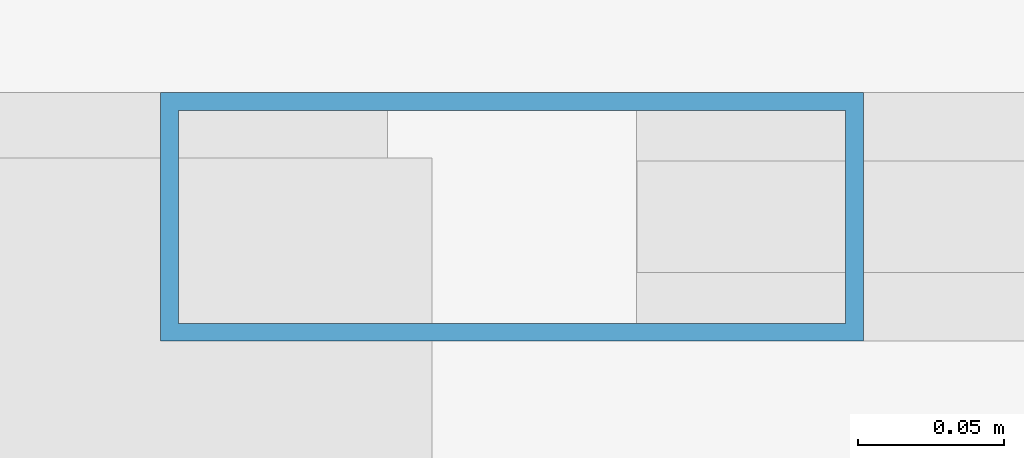
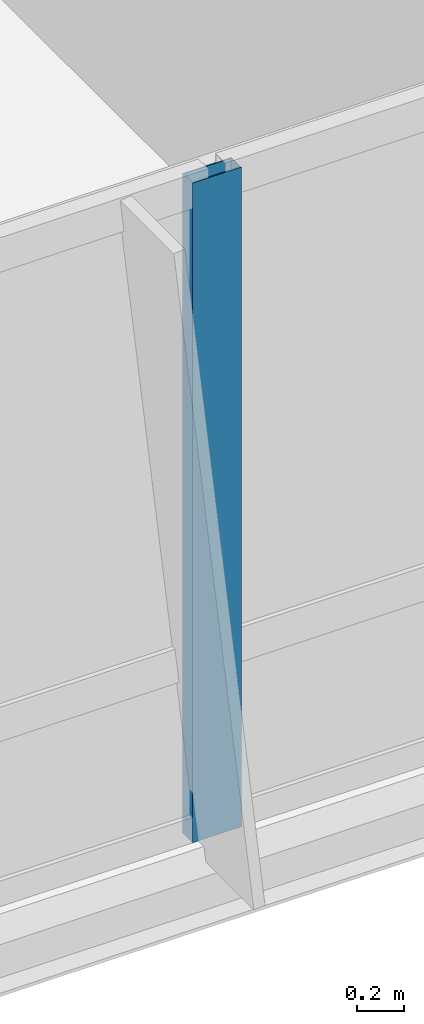
# One storey, part 9 of 31: 1 member, 1 element without a shape of its own.
"""IFC4 building model written with IfcOpenShell, lengths in metres."""

from ifc_helpers import new_model, si_unit, direction, frame, origin, origin_2d, place, context, subcontext, project, spatial, hollow_rectangle, extrude, material, material_profile, profile_set, type_object, element, aggregate, save


model = new_model("IFC4")

# Units and contexts
model_context = context("Model", 3, precision=1e-05, world=origin(), true_north=direction((0.0, 1.0)))
body_context = subcontext(model_context, "Body", "Model", "MODEL_VIEW")
ifc_project = project(units=[si_unit("LENGTHUNIT", "METRE"), si_unit("AREAUNIT", "SQUARE_METRE"), si_unit("VOLUMEUNIT", "CUBIC_METRE"), si_unit("PLANEANGLEUNIT", "RADIAN"), si_unit("MASSUNIT", "GRAM", prefix="KILO")], contexts=[model_context])

# Site, building, storey
site_placement = place(None, origin())
site = spatial("IfcSite", under=ifc_project, at=site_placement, CompositionType="ELEMENT")
building_placement = place(site_placement, origin())
building = spatial("IfcBuilding", under=site, at=building_placement, Name="Khoronbel Lancet Exchange", CompositionType="ELEMENT")
storey_placement = place(building_placement, frame((0.0, 0.0, 325.39990234375)))
storey = spatial("IfcBuildingStorey", under=building, at=storey_placement, Name="L84", CompositionType="ELEMENT", Elevation=325.39990234375)

# Curtain wall, member
ifc_material_1 = material(Name="Low-E Solar Control Insulating Glass", Category="glass")
curtain_wall_type = type_object("IfcCurtainWallType", Name="CW-3", PredefinedType="NOTDEFINED", material=ifc_material_1)
curtain_wall_placement = place(storey_placement, origin())
curtain_wall = element("IfcCurtainWall", 1, at=curtain_wall_placement, inside=storey, type_object=curtain_wall_type, Name="Unitised curtain wall CW-L84-SCV", PredefinedType="NOTDEFINED")
ifc_material_2 = material(Name="Bronze-Anodised Aluminium 6063-T6", Category="aluminium")
ifc_material_profile = material_profile(ifc_material_2, hollow_rectangle(XDim=0.0849609375, YDim=0.239990234375, WallThickness=0.006103515625, at=origin_2d()), Name="ALU MULLION 85x240")
ifc_profile_set = profile_set([ifc_material_profile], Name="Bronze-Anodised Aluminium 6063-T6")
member_type = type_object("IfcMemberType", Name="MEM-CWM1", PredefinedType="MULLION", material=ifc_profile_set)
member_placement = place(storey_placement, frame((36.449951171875, 9.7900390625, 0.0), z_axis=(0.0, 0.0, 1.0), x_axis=(0.0, 1.0, 0.0)))
member = element("IfcMember", 2, at=member_placement, type_object=member_type, Name="CW3 mullion 2", PredefinedType="MULLION", context=body_context, shape_type="SweptSolid", body=[
    extrude(hollow_rectangle(XDim=0.0849609375, YDim=0.239990234375, WallThickness=0.006103515625, at=origin_2d()), origin(), (0.0, 0.0, 1.0), 3.440185546875),
])
aggregate(curtain_wall, [member])

save(model, "model.ifc")
